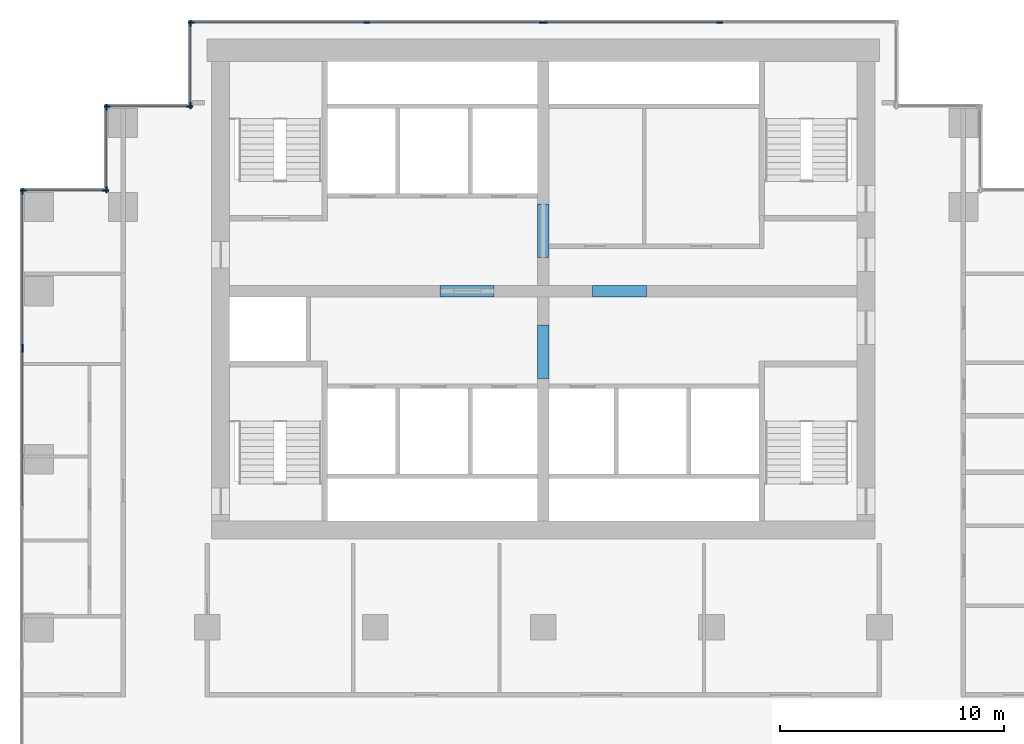
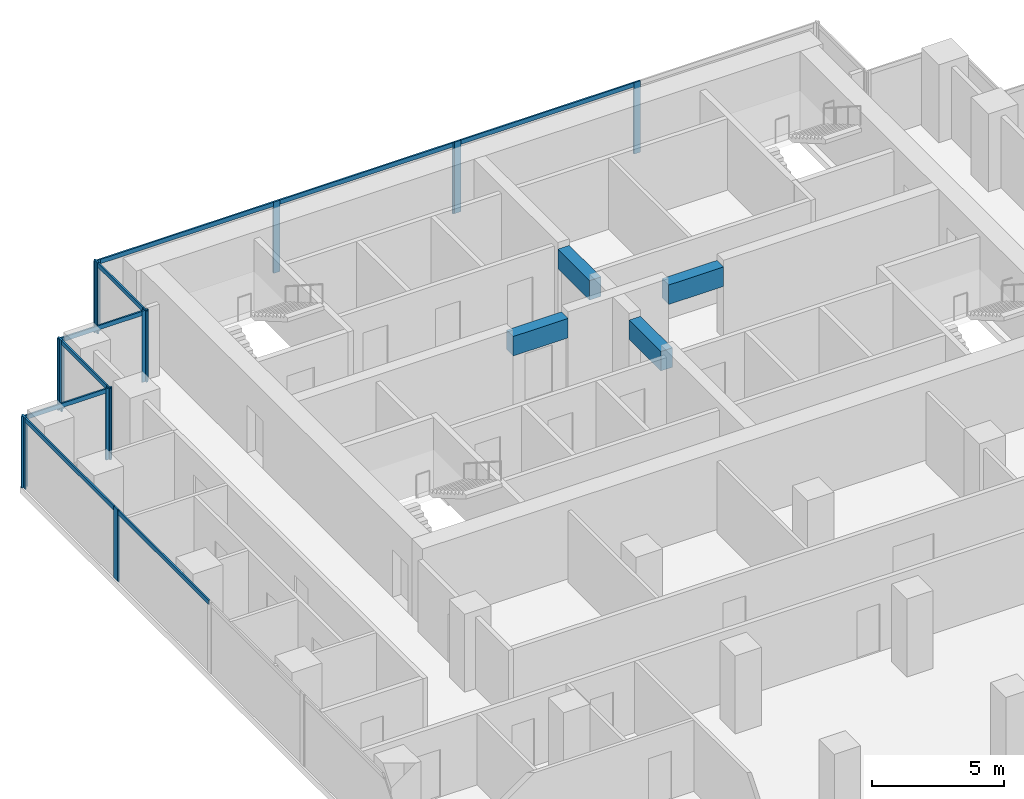
# One storey, part 4 of 10: 25 members, 4 beams, 8 elements without a shape of their own.
"""IFC4 building model written with IfcOpenShell, lengths in metres."""

from ifc_helpers import new_model, si_unit, direction, frame, origin, origin_2d, place, context, subcontext, project, spatial, rectangle, extrude, material, material_profile, profile_set, type_object, element, aggregate, save


model = new_model("IFC4")

# Units and contexts
model_context = context("Model", 3, precision=1e-05, world=origin(), true_north=direction((0.0, 1.0)))
body_context = subcontext(model_context, "Body", "Model", "MODEL_VIEW")
ifc_project = project(units=[si_unit("LENGTHUNIT", "METRE"), si_unit("AREAUNIT", "SQUARE_METRE"), si_unit("VOLUMEUNIT", "CUBIC_METRE"), si_unit("PLANEANGLEUNIT", "RADIAN"), si_unit("MASSUNIT", "GRAM", prefix="KILO")], contexts=[model_context])

# Site, building, storey
site_placement = place(None, origin())
site = spatial("IfcSite", under=ifc_project, at=site_placement, CompositionType="ELEMENT")
building_placement = place(site_placement, origin())
building = spatial("IfcBuilding", under=site, at=building_placement, Name="Pilkhan Gate Tower", CompositionType="ELEMENT")
storey_placement = place(building_placement, frame((0.0, 0.0, 136.0)))
storey = spatial("IfcBuildingStorey", under=building, at=storey_placement, Name="L34", CompositionType="ELEMENT", Elevation=136.0)

# Beams
ifc_material_1 = material(Name="Concrete C60/75", Category="concrete")
ifc_material_profile_1 = material_profile(ifc_material_1, rectangle(XDim=0.5, YDim=0.89990234375, at=origin_2d()), Name="RC 500x900")
ifc_profile_set_1 = profile_set([ifc_material_profile_1], Name="Concrete C60/75")
beam_type = type_object("IfcBeamType", Name="Coupling beam CB90 RC 500x900 C60/75", PredefinedType="LINTEL", material=ifc_profile_set_1)
for number, where, z_axis, x_axis, name in (
    (1, (70.39990234375, 82.5, 2.85009765625), (1.0, 0.0, 0.0), (0.0, 1.0, 0.0), "Coupling beam 1 L34"),
    (2, (77.199951171875, 82.5, 2.85009765625), (1.0, 0.0, 0.0), (0.0, 1.0, 0.0), "Coupling beam 2 L34"),
):
    element("IfcBeam", number, at=place(storey_placement, frame(where, z_axis=z_axis, x_axis=x_axis)), inside=storey, type_object=beam_type, Name=name, PredefinedType="LINTEL", context=body_context, shape_type="SweptSolid", body=[
        extrude(rectangle(XDim=0.5, YDim=0.89990234375, at=origin_2d()), origin(), (0.0, 0.0, 1.0), 2.400146484375),
    ])
for number, where, z_axis, x_axis, name in (
    (3, (75.0, 78.60009765625, 2.85009765625), (0.0, 1.0, 0.0), (-1.0, 0.0, 0.0), "Coupling beam 3 L34"),
    (4, (75.0, 84.0, 2.85009765625), (0.0, 1.0, 0.0), (-1.0, 0.0, 0.0), "Coupling beam 4 L34"),
):
    element("IfcBeam", number, at=place(storey_placement, frame(where, z_axis=z_axis, x_axis=x_axis)), inside=storey, type_object=beam_type, Name=name, PredefinedType="LINTEL", context=body_context, shape_type="SweptSolid", body=[
        extrude(rectangle(XDim=0.5, YDim=0.89990234375, at=origin_2d()), origin(), (0.0, 0.0, 1.0), 2.39990234375),
    ])

# Curtain wall, members
ifc_material_2 = material(Name="Pale anodised aluminium, clear low-iron double glazing", Category="aluminium")
curtain_wall_type = type_object("IfcCurtainWallType", Name="Office unitised curtain wall CW-O1", PredefinedType="USERDEFINED", material=ifc_material_2)
curtain_wall_1_placement = place(storey_placement, origin())
curtain_wall_1 = element("IfcCurtainWall", 5, at=curtain_wall_1_placement, inside=storey, type_object=curtain_wall_type, Name="Office unitised curtain wall CW-O1 L34 N", ObjectType="UNITISED CURTAIN WALL", PredefinedType="USERDEFINED")
ifc_material_3 = material(Name="Pale anodised aluminium", Category="aluminium")
ifc_material_profile_2 = material_profile(ifc_material_3, rectangle(XDim=0.070068359375, YDim=0.27490234375, at=origin_2d()), Name="Mullion 275x70")
ifc_profile_set_2 = profile_set([ifc_material_profile_2], Name="Pale anodised aluminium")
member_type_1 = type_object("IfcMemberType", Name="Mullion CW-O1 275x70", PredefinedType="MULLION", material=ifc_profile_set_2)
member_1_placement = place(storey_placement, frame((59.284912109375, 94.5, 0.0), z_axis=(0.0, 0.0, 1.0), x_axis=(0.0, 1.0, 0.0)))
member_1 = element("IfcMember", 6, at=member_1_placement, type_object=member_type_1, Name="CW-O1 mullion 1", PredefinedType="MULLION", context=body_context, shape_type="SweptSolid", body=[
    extrude(rectangle(XDim=0.070068359375, YDim=0.27490234375, at=origin_2d()), origin(), (0.0, 0.0, 1.0), 3.300048828125),
])
member_2_placement = place(storey_placement, frame((67.125, 94.5, 0.0), z_axis=(0.0, 0.0, 1.0), x_axis=(0.0, 1.0, 0.0)))
member_2 = element("IfcMember", 7, at=member_2_placement, type_object=member_type_1, Name="CW-O1 mullion 2", PredefinedType="MULLION", context=body_context, shape_type="SweptSolid", body=[
    extrude(rectangle(XDim=0.070068359375, YDim=0.27490234375, at=origin_2d()), origin(), (0.0, 0.0, 1.0), 3.300048828125),
])
member_3_placement = place(storey_placement, frame((74.965087890625, 94.5, 0.0), z_axis=(0.0, 0.0, 1.0), x_axis=(0.0, 1.0, 0.0)))
member_3 = element("IfcMember", 8, at=member_3_placement, type_object=member_type_1, Name="CW-O1 mullion 3", PredefinedType="MULLION", context=body_context, shape_type="SweptSolid", body=[
    extrude(rectangle(XDim=0.070068359375, YDim=0.27490234375, at=origin_2d()), origin(), (0.0, 0.0, 1.0), 3.300048828125),
])

curtain_wall_2_placement = place(storey_placement, origin())
curtain_wall_2 = element("IfcCurtainWall", 9, at=curtain_wall_2_placement, inside=storey, type_object=curtain_wall_type, Name="Office unitised curtain wall CW-O1 L34 N", ObjectType="UNITISED CURTAIN WALL", PredefinedType="USERDEFINED")
member_4_placement = place(storey_placement, frame((75.034912109375, 94.5, 0.0), z_axis=(0.0, 0.0, 1.0), x_axis=(0.0, 1.0, 0.0)))
member_4 = element("IfcMember", 10, at=member_4_placement, type_object=member_type_1, Name="CW-O1 mullion 1", PredefinedType="MULLION", context=body_context, shape_type="SweptSolid", body=[
    extrude(rectangle(XDim=0.070068359375, YDim=0.27490234375, at=origin_2d()), origin(), (0.0, 0.0, 1.0), 3.300048828125),
])
member_5_placement = place(storey_placement, frame((82.875, 94.5, 0.0), z_axis=(0.0, 0.0, 1.0), x_axis=(0.0, 1.0, 0.0)))
member_5 = element("IfcMember", 11, at=member_5_placement, type_object=member_type_1, Name="CW-O1 mullion 2", PredefinedType="MULLION", context=body_context, shape_type="SweptSolid", body=[
    extrude(rectangle(XDim=0.070068359375, YDim=0.27490234375, at=origin_2d()), origin(), (0.0, 0.0, 1.0), 3.300048828125),
])

curtain_wall_3_placement = place(storey_placement, origin())
curtain_wall_3 = element("IfcCurtainWall", 12, at=curtain_wall_3_placement, inside=storey, type_object=curtain_wall_type, Name="Office unitised curtain wall CW-O1 L34 W", ObjectType="UNITISED CURTAIN WALL", PredefinedType="USERDEFINED")
member_6_placement = place(storey_placement, frame((59.25, 90.784912109375, 0.0), z_axis=(0.0, 0.0, 1.0), x_axis=(-1.0, 0.0, 0.0)))
member_6 = element("IfcMember", 13, at=member_6_placement, type_object=member_type_1, Name="CW-O1 mullion 1", PredefinedType="MULLION", context=body_context, shape_type="SweptSolid", body=[
    extrude(rectangle(XDim=0.070068359375, YDim=0.27490234375, at=origin_2d()), origin(), (0.0, 0.0, 1.0), 3.300048828125),
])
member_7_placement = place(storey_placement, frame((59.25, 94.465087890625, 0.0), z_axis=(0.0, 0.0, 1.0), x_axis=(-1.0, 0.0, 0.0)))
member_7 = element("IfcMember", 14, at=member_7_placement, type_object=member_type_1, Name="CW-O1 mullion 2", PredefinedType="MULLION", context=body_context, shape_type="SweptSolid", body=[
    extrude(rectangle(XDim=0.070068359375, YDim=0.27490234375, at=origin_2d()), origin(), (0.0, 0.0, 1.0), 3.300048828125),
])

curtain_wall_4_placement = place(storey_placement, origin())
curtain_wall_4 = element("IfcCurtainWall", 15, at=curtain_wall_4_placement, inside=storey, type_object=curtain_wall_type, Name="Office unitised curtain wall CW-O1 L34 N", ObjectType="UNITISED CURTAIN WALL", PredefinedType="USERDEFINED")
member_8_placement = place(storey_placement, frame((55.534912109375, 90.75, 0.0), z_axis=(0.0, 0.0, 1.0), x_axis=(0.0, 1.0, 0.0)))
member_8 = element("IfcMember", 16, at=member_8_placement, type_object=member_type_1, Name="CW-O1 mullion 1", PredefinedType="MULLION", context=body_context, shape_type="SweptSolid", body=[
    extrude(rectangle(XDim=0.070068359375, YDim=0.27490234375, at=origin_2d()), origin(), (0.0, 0.0, 1.0), 3.300048828125),
])
member_9_placement = place(storey_placement, frame((59.215087890625, 90.75, 0.0), z_axis=(0.0, 0.0, 1.0), x_axis=(0.0, 1.0, 0.0)))
member_9 = element("IfcMember", 17, at=member_9_placement, type_object=member_type_1, Name="CW-O1 mullion 2", PredefinedType="MULLION", context=body_context, shape_type="SweptSolid", body=[
    extrude(rectangle(XDim=0.070068359375, YDim=0.27490234375, at=origin_2d()), origin(), (0.0, 0.0, 1.0), 3.300048828125),
])

curtain_wall_5_placement = place(storey_placement, origin())
curtain_wall_5 = element("IfcCurtainWall", 18, at=curtain_wall_5_placement, inside=storey, type_object=curtain_wall_type, Name="Office unitised curtain wall CW-O1 L34 W", ObjectType="UNITISED CURTAIN WALL", PredefinedType="USERDEFINED")
member_10_placement = place(storey_placement, frame((55.5, 87.034912109375, 0.0), z_axis=(0.0, 0.0, 1.0), x_axis=(-1.0, 0.0, 0.0)))
member_10 = element("IfcMember", 19, at=member_10_placement, type_object=member_type_1, Name="CW-O1 mullion 1", PredefinedType="MULLION", context=body_context, shape_type="SweptSolid", body=[
    extrude(rectangle(XDim=0.070068359375, YDim=0.27490234375, at=origin_2d()), origin(), (0.0, 0.0, 1.0), 3.300048828125),
])
member_11_placement = place(storey_placement, frame((55.5, 90.715087890625, 0.0), z_axis=(0.0, 0.0, 1.0), x_axis=(-1.0, 0.0, 0.0)))
member_11 = element("IfcMember", 20, at=member_11_placement, type_object=member_type_1, Name="CW-O1 mullion 2", PredefinedType="MULLION", context=body_context, shape_type="SweptSolid", body=[
    extrude(rectangle(XDim=0.070068359375, YDim=0.27490234375, at=origin_2d()), origin(), (0.0, 0.0, 1.0), 3.300048828125),
])

curtain_wall_6_placement = place(storey_placement, origin())
curtain_wall_6 = element("IfcCurtainWall", 21, at=curtain_wall_6_placement, inside=storey, type_object=curtain_wall_type, Name="Office unitised curtain wall CW-O1 L34 N", ObjectType="UNITISED CURTAIN WALL", PredefinedType="USERDEFINED")
member_12_placement = place(storey_placement, frame((51.784912109375, 87.0, 0.0), z_axis=(0.0, 0.0, 1.0), x_axis=(0.0, 1.0, 0.0)))
member_12 = element("IfcMember", 22, at=member_12_placement, type_object=member_type_1, Name="CW-O1 mullion 1", PredefinedType="MULLION", context=body_context, shape_type="SweptSolid", body=[
    extrude(rectangle(XDim=0.070068359375, YDim=0.27490234375, at=origin_2d()), origin(), (0.0, 0.0, 1.0), 3.300048828125),
])
member_13_placement = place(storey_placement, frame((55.465087890625, 87.0, 0.0), z_axis=(0.0, 0.0, 1.0), x_axis=(0.0, 1.0, 0.0)))
member_13 = element("IfcMember", 23, at=member_13_placement, type_object=member_type_1, Name="CW-O1 mullion 2", PredefinedType="MULLION", context=body_context, shape_type="SweptSolid", body=[
    extrude(rectangle(XDim=0.070068359375, YDim=0.27490234375, at=origin_2d()), origin(), (0.0, 0.0, 1.0), 3.300048828125),
])

# Curtain wall, member
curtain_wall_7_placement = place(storey_placement, origin())
curtain_wall_7 = element("IfcCurtainWall", 24, at=curtain_wall_7_placement, inside=storey, type_object=curtain_wall_type, Name="Office unitised curtain wall CW-O1 L34 W", ObjectType="UNITISED CURTAIN WALL", PredefinedType="USERDEFINED")
member_14_placement = place(storey_placement, frame((51.75, 79.9150390625, 0.0), z_axis=(0.0, 0.0, 1.0), x_axis=(-1.0, 0.0, 0.0)))
member_14 = element("IfcMember", 25, at=member_14_placement, type_object=member_type_1, Name="CW-O1 mullion 3", PredefinedType="MULLION", context=body_context, shape_type="SweptSolid", body=[
    extrude(rectangle(XDim=0.070068359375, YDim=0.27490234375, at=origin_2d()), origin(), (0.0, 0.0, 1.0), 3.300048828125),
])

# Curtain wall, members
curtain_wall_8_placement = place(storey_placement, origin())
curtain_wall_8 = element("IfcCurtainWall", 26, at=curtain_wall_8_placement, inside=storey, type_object=curtain_wall_type, Name="Office unitised curtain wall CW-O1 L34 W", ObjectType="UNITISED CURTAIN WALL", PredefinedType="USERDEFINED")
member_15_placement = place(storey_placement, frame((51.75, 79.985107421875, 0.0), z_axis=(0.0, 0.0, 1.0), x_axis=(-1.0, 0.0, 0.0)))
member_15 = element("IfcMember", 27, at=member_15_placement, type_object=member_type_1, Name="CW-O1 mullion 1", PredefinedType="MULLION", context=body_context, shape_type="SweptSolid", body=[
    extrude(rectangle(XDim=0.070068359375, YDim=0.27490234375, at=origin_2d()), origin(), (0.0, 0.0, 1.0), 3.300048828125),
])
member_16_placement = place(storey_placement, frame((51.75, 86.965087890625, 0.0), z_axis=(0.0, 0.0, 1.0), x_axis=(-1.0, 0.0, 0.0)))
member_16 = element("IfcMember", 28, at=member_16_placement, type_object=member_type_1, Name="CW-O1 mullion 2", PredefinedType="MULLION", context=body_context, shape_type="SweptSolid", body=[
    extrude(rectangle(XDim=0.070068359375, YDim=0.27490234375, at=origin_2d()), origin(), (0.0, 0.0, 1.0), 3.300048828125),
])

# Member
ifc_material_profile_3 = material_profile(ifc_material_3, rectangle(XDim=0.070068359375, YDim=0.199951171875, at=origin_2d()), Name="Transom 200x70")
ifc_profile_set_3 = profile_set([ifc_material_profile_3], Name="Pale anodised aluminium")
member_type_2 = type_object("IfcMemberType", Name="Transom CW-O1 200x70", PredefinedType="USERDEFINED", material=ifc_profile_set_3)
member_17_placement = place(storey_placement, frame((59.320068359375, 94.5, 3.199951171875), z_axis=(1.0, 0.0, 0.0), x_axis=(0.0, 1.0, 0.0)))
member_17 = element("IfcMember", 29, at=member_17_placement, type_object=member_type_2, Name="CW-O1 transom 1", ObjectType="TRANSOM", PredefinedType="USERDEFINED", context=body_context, shape_type="SweptSolid", body=[
    extrude(rectangle(XDim=0.070068359375, YDim=0.199951171875, at=origin_2d()), origin(), (0.0, 0.0, 1.0), 7.77001953125),
])

member_18_placement = place(storey_placement, frame((67.159912109375, 94.5, 3.199951171875), z_axis=(1.0, 0.0, 0.0), x_axis=(0.0, 1.0, 0.0)))
member_18 = element("IfcMember", 30, at=member_18_placement, type_object=member_type_2, Name="CW-O1 transom 2", ObjectType="TRANSOM", PredefinedType="USERDEFINED", context=body_context, shape_type="SweptSolid", body=[
    extrude(rectangle(XDim=0.070068359375, YDim=0.199951171875, at=origin_2d()), origin(), (0.0, 0.0, 1.0), 7.77001953125),
])

aggregate(curtain_wall_1, [member_1, member_2, member_3, member_17, member_18])

member_19_placement = place(storey_placement, frame((75.070068359375, 94.5, 3.199951171875), z_axis=(1.0, 0.0, 0.0), x_axis=(0.0, 1.0, 0.0)))
member_19 = element("IfcMember", 31, at=member_19_placement, type_object=member_type_2, Name="CW-O1 transom 1", ObjectType="TRANSOM", PredefinedType="USERDEFINED", context=body_context, shape_type="SweptSolid", body=[
    extrude(rectangle(XDim=0.070068359375, YDim=0.199951171875, at=origin_2d()), origin(), (0.0, 0.0, 1.0), 7.77001953125),
])

aggregate(curtain_wall_2, [member_4, member_5, member_19])

member_20_placement = place(storey_placement, frame((59.25, 90.820068359375, 3.199951171875), z_axis=(0.0, 1.0, 0.0), x_axis=(-1.0, 0.0, 0.0)))
member_20 = element("IfcMember", 32, at=member_20_placement, type_object=member_type_2, Name="CW-O1 transom 1", ObjectType="TRANSOM", PredefinedType="USERDEFINED", context=body_context, shape_type="SweptSolid", body=[
    extrude(rectangle(XDim=0.070068359375, YDim=0.199951171875, at=origin_2d()), origin(), (0.0, 0.0, 1.0), 3.60986328125),
])

aggregate(curtain_wall_3, [member_6, member_7, member_20])

member_21_placement = place(storey_placement, frame((55.570068359375, 90.75, 3.199951171875), z_axis=(1.0, 0.0, 0.0), x_axis=(0.0, 1.0, 0.0)))
member_21 = element("IfcMember", 33, at=member_21_placement, type_object=member_type_2, Name="CW-O1 transom 1", ObjectType="TRANSOM", PredefinedType="USERDEFINED", context=body_context, shape_type="SweptSolid", body=[
    extrude(rectangle(XDim=0.070068359375, YDim=0.199951171875, at=origin_2d()), origin(), (0.0, 0.0, 1.0), 3.60986328125),
])

aggregate(curtain_wall_4, [member_8, member_9, member_21])

member_22_placement = place(storey_placement, frame((55.5, 87.070068359375, 3.199951171875), z_axis=(0.0, 1.0, 0.0), x_axis=(-1.0, 0.0, 0.0)))
member_22 = element("IfcMember", 34, at=member_22_placement, type_object=member_type_2, Name="CW-O1 transom 1", ObjectType="TRANSOM", PredefinedType="USERDEFINED", context=body_context, shape_type="SweptSolid", body=[
    extrude(rectangle(XDim=0.070068359375, YDim=0.199951171875, at=origin_2d()), origin(), (0.0, 0.0, 1.0), 3.60986328125),
])

aggregate(curtain_wall_5, [member_10, member_11, member_22])

member_23_placement = place(storey_placement, frame((51.820068359375, 87.0, 3.199951171875), z_axis=(1.0, 0.0, 0.0), x_axis=(0.0, 1.0, 0.0)))
member_23 = element("IfcMember", 35, at=member_23_placement, type_object=member_type_2, Name="CW-O1 transom 1", ObjectType="TRANSOM", PredefinedType="USERDEFINED", context=body_context, shape_type="SweptSolid", body=[
    extrude(rectangle(XDim=0.070068359375, YDim=0.199951171875, at=origin_2d()), origin(), (0.0, 0.0, 1.0), 3.60986328125),
])

aggregate(curtain_wall_6, [member_12, member_13, member_23])

member_24_placement = place(storey_placement, frame((51.75, 72.93505859375, 3.199951171875), z_axis=(0.0, 1.0, 0.0), x_axis=(-1.0, 0.0, 0.0)))
member_24 = element("IfcMember", 36, at=member_24_placement, type_object=member_type_2, Name="CW-O1 transom 2", ObjectType="TRANSOM", PredefinedType="USERDEFINED", context=body_context, shape_type="SweptSolid", body=[
    extrude(rectangle(XDim=0.070068359375, YDim=0.199951171875, at=origin_2d()), origin(), (0.0, 0.0, 1.0), 6.94482421875),
])

aggregate(curtain_wall_7, [member_14, member_24])

member_25_placement = place(storey_placement, frame((51.75, 80.02001953125, 3.199951171875), z_axis=(0.0, 1.0, 0.0), x_axis=(-1.0, 0.0, 0.0)))
member_25 = element("IfcMember", 37, at=member_25_placement, type_object=member_type_2, Name="CW-O1 transom 1", ObjectType="TRANSOM", PredefinedType="USERDEFINED", context=body_context, shape_type="SweptSolid", body=[
    extrude(rectangle(XDim=0.070068359375, YDim=0.199951171875, at=origin_2d()), origin(), (0.0, 0.0, 1.0), 6.909912109375),
])

aggregate(curtain_wall_8, [member_15, member_16, member_25])

save(model, "model.ifc")
